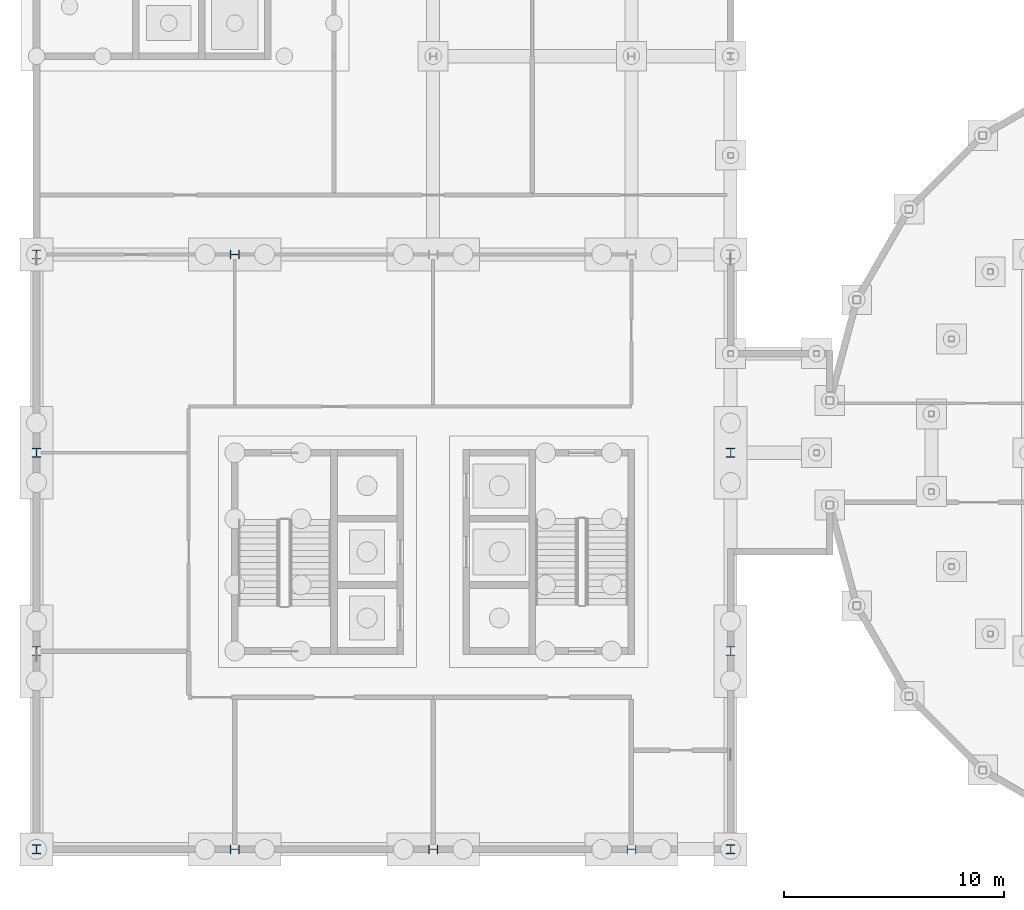
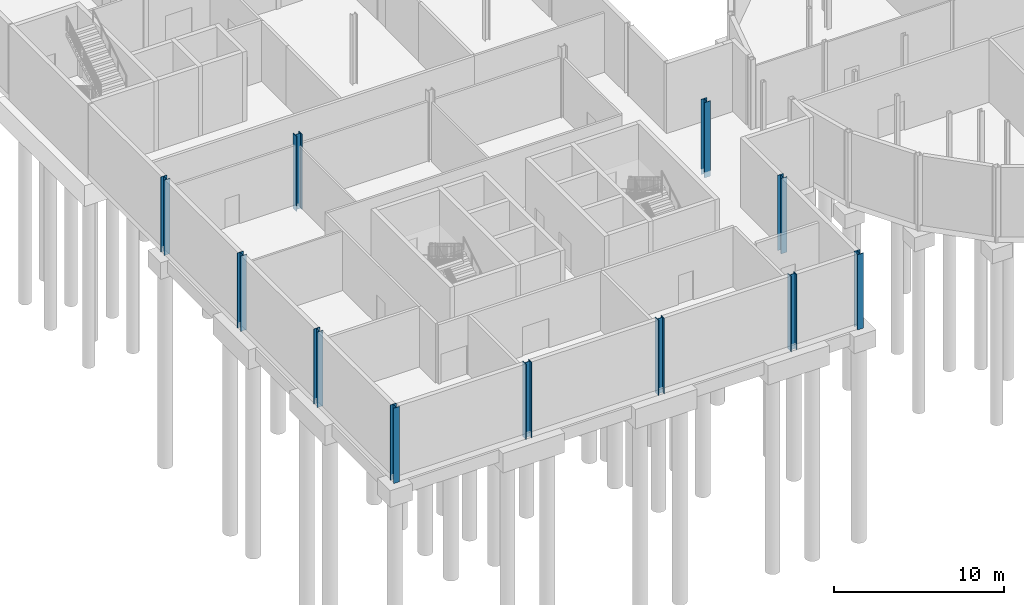
# One storey, part 5 of 25: 11 columns.
"""IFC4 building model written with IfcOpenShell, lengths in metres."""

import ifcopenshell
import ifcopenshell.guid

model = None  # the IFC model being written
_history = None  # IfcOwnerHistory: only IFC2X3 demands one
_inside = {}  # id of a spatial element -> (the spatial element, [elements in it])
_under = {}  # id of a project, library or spatial element -> (it, [spatial elements below it])
_declared = {}  # id of a project -> (the project, [libraries it declares])
_typed = {}  # id of a type object -> (the type object, [elements of that type])
_made_of = {}  # id of a material, layer set ... -> (it, [elements and type objects made of it])


def new_model(schema):
    """Start an empty IFC model of exactly this schema.

    Asked for "IFC4X3", IfcOpenShell would pick the latest addendum, in which some entities
    have other attributes; the version numbers below select the first issue.
    IFC2X3 requires an IfcOwnerHistory on every rooted entity: one is made here for all.
    """
    global model, _history
    if schema == "IFC4X3":
        model = ifcopenshell.file(schema_version=(4, 3, 0, 0))
    else:
        model = ifcopenshell.file(schema=schema)
    _inside.clear()
    _under.clear()
    _declared.clear()
    _typed.clear()
    _made_of.clear()
    _history = None
    if model.schema == "IFC2X3":
        org = make("IfcOrganization", Name="unknown")
        user = make(
            "IfcPersonAndOrganization",
            ThePerson=make("IfcPerson", FamilyName="unknown"),
            TheOrganization=org,
        )
        app = make(
            "IfcApplication",
            ApplicationDeveloper=org,
            Version="unknown",
            ApplicationFullName="unknown",
            ApplicationIdentifier="unknown",
        )
        _history = make(
            "IfcOwnerHistory",
            OwningUser=user,
            OwningApplication=app,
            ChangeAction="ADDED",
            CreationDate=0,
        )
    return model


def make(cls, **values):
    """One entity of the class cls with the attributes given. An attribute that is None is left unset."""
    return model.create_entity(
        cls, **{name: value for name, value in values.items() if value is not None}
    )


def rooted(cls, **values):
    """An entity with a GlobalId (a new one), such as an element, a storey or a relation."""
    return make(cls, GlobalId=ifcopenshell.guid.new(), OwnerHistory=_history, **values)


def si_unit(unit_type, name, prefix=None):
    """IfcSIUnit, for example si_unit("LENGTHUNIT", "METRE", prefix="MILLI")."""
    return make("IfcSIUnit", UnitType=unit_type, Prefix=prefix, Name=name)


def assignment(units):
    """IfcUnitAssignment: the units of a project."""
    return None if units is None else make("IfcUnitAssignment", Units=units)


def point(xyz):
    """IfcCartesianPoint."""
    return None if xyz is None else make("IfcCartesianPoint", Coordinates=xyz)


def direction(xyz):
    """IfcDirection."""
    return None if xyz is None else make("IfcDirection", DirectionRatios=xyz)


def frame(location, z_axis=None, x_axis=None):
    """IfcAxis2Placement3D, a coordinate frame: its origin and axes. An axis left out is left unset."""
    return make(
        "IfcAxis2Placement3D",
        Location=point(location),
        Axis=direction(z_axis),
        RefDirection=direction(x_axis),
    )


def frame_2d(location, x_axis=None):
    """IfcAxis2Placement2D, a coordinate frame in the plane: its origin and x axis."""
    return make(
        "IfcAxis2Placement2D", Location=point(location), RefDirection=direction(x_axis)
    )


def origin():
    """The frame at (0, 0, 0) with its axes left unset."""
    return frame((0.0, 0.0, 0.0))


def origin_2d():
    """The frame at (0, 0) in the plane with its x axis left unset."""
    return frame_2d((0.0, 0.0))


def place(relative_to, where):
    """IfcLocalPlacement: puts the frame where relative to a parent placement (None: the world)."""
    return make(
        "IfcLocalPlacement", PlacementRelTo=relative_to, RelativePlacement=where
    )


def context(
    kind, dimensions, precision=None, world=None, true_north=None, identifier=None
):
    """IfcGeometricRepresentationContext, for example the 3D "Model" context."""
    return make(
        "IfcGeometricRepresentationContext",
        ContextIdentifier=identifier,
        ContextType=kind,
        CoordinateSpaceDimension=dimensions,
        Precision=precision,
        WorldCoordinateSystem=world,
        TrueNorth=true_north,
    )


def subcontext(parent, identifier, kind, view, scale=None):
    """IfcGeometricRepresentationSubContext, for example "Body" below "Model"."""
    return make(
        "IfcGeometricRepresentationSubContext",
        ContextIdentifier=identifier,
        ContextType=kind,
        ParentContext=parent,
        TargetScale=scale,
        TargetView=view,
    )


def project(units=None, contexts=None):
    """IfcProject with its units and contexts."""
    return rooted(
        "IfcProject",
        Name="project",
        RepresentationContexts=contexts,
        UnitsInContext=assignment(units),
    )


def spatial(cls, under=None, at=None, **own):
    """A site, building, storey or space (cls), placed at a placement, below another one or the project."""
    s = rooted(cls, ObjectPlacement=at, **own)
    if under is not None:
        _under.setdefault(under.id(), (under, []))[1].append(s)
    return s


def profile(cls, at=None, kind="AREA", **sizes):
    """A parametric profile (cls). Its sizes go by their IFC names, for example OverallWidth=200.0."""
    return make(cls, ProfileType=kind, Position=at, **sizes)


def i_section(**sizes):
    """IfcIShapeProfileDef."""
    return profile("IfcIShapeProfileDef", **sizes)


def extrude(swept, where, along, depth):
    """IfcExtrudedAreaSolid: the profile swept, set in the frame where, extruded along a direction by depth."""
    return make(
        "IfcExtrudedAreaSolid",
        SweptArea=swept,
        Position=where,
        ExtrudedDirection=direction(along),
        Depth=depth,
    )


def shape(context_of_items, identifier, shape_type, items):
    """IfcShapeRepresentation: the items that make up one representation, for example the "Body"."""
    return make(
        "IfcShapeRepresentation",
        ContextOfItems=context_of_items,
        RepresentationIdentifier=identifier,
        RepresentationType=shape_type,
        Items=items,
    )


def material(Name=None, Category=None):
    """IfcMaterial."""
    return make("IfcMaterial", Name=Name, Category=Category)


def material_profile(
    of_material, cross_section, Name=None, Category=None, Priority=None
):
    """IfcMaterialProfile: a cross section and its material."""
    return make(
        "IfcMaterialProfile",
        Name=Name,
        Material=of_material,
        Profile=cross_section,
        Priority=Priority,
        Category=Category,
    )


def profile_set(profiles, Name=None, composite=None):
    """IfcMaterialProfileSet."""
    return make(
        "IfcMaterialProfileSet",
        Name=Name,
        MaterialProfiles=profiles,
        CompositeProfile=composite,
    )


def made_of(thing, what):
    """Note that an element or type object is made of a material, layer set ...; save() writes the relation."""
    if what is not None:
        _made_of.setdefault(what.id(), (what, []))[1].append(thing)
    return thing


def type_object(cls, material=None, **own):
    """A type object (cls), such as IfcWallType, which elements share."""
    return made_of(rooted(cls, **own), material)


def element(
    cls,
    number,
    at=None,
    inside=None,
    cuts=None,
    type_object=None,
    material=None,
    context=None,
    identifier="Body",
    shape_type=None,
    held_by="IfcProductDefinitionShape",
    body=None,
    shapes=None,
    **own,
):
    """One element of the class cls, such as IfcWall. Its Tag is "e" and its number.

    at: its placement. inside: the storey or other place that contains it. cuts: it is an
    opening in that element (IfcRelVoidsElement). A single representation is given by context,
    identifier, shape_type and body (its items); several are given by shapes. held_by: the class
    of the entity that holds the representations. save() writes the other relations.
    """
    e = rooted(cls, Tag="e%d" % number, ObjectPlacement=at, **own)
    if body is not None:
        shapes = [shape(context, identifier, shape_type, body)]
    if shapes is not None:
        e.Representation = make(held_by, Representations=shapes)
    if inside is not None:
        _inside.setdefault(inside.id(), (inside, []))[1].append(e)
    if cuts is not None:
        rooted(
            "IfcRelVoidsElement", RelatingBuildingElement=cuts, RelatedOpeningElement=e
        )
    if type_object is not None:
        _typed.setdefault(type_object.id(), (type_object, []))[1].append(e)
    return made_of(e, material)


def aggregate(whole, parts):
    """IfcRelAggregates: a whole, such as a stair, and the parts it consists of."""
    return rooted("IfcRelAggregates", RelatingObject=whole, RelatedObjects=parts)


def save(model, path):
    """Write the relations noted so far, then the file.

    IfcRelAggregates (storeys below a building ...), IfcRelContainedInSpatialStructure (elements
    in a storey), IfcRelDefinesByType, IfcRelAssociatesMaterial and IfcRelDeclares: one each for
    every whole, place, type object, material and project.
    """
    for whole, parts in _under.values():
        aggregate(whole, parts)
    for where, things in _inside.values():
        rooted(
            "IfcRelContainedInSpatialStructure",
            RelatedElements=things,
            RelatingStructure=where,
        )
    for kind, things in _typed.values():
        rooted("IfcRelDefinesByType", RelatedObjects=things, RelatingType=kind)
    for what, things in _made_of.values():
        rooted("IfcRelAssociatesMaterial", RelatedObjects=things, RelatingMaterial=what)
    for by, libraries in _declared.values():
        rooted("IfcRelDeclares", RelatingContext=by, RelatedDefinitions=libraries)
    model.write(path)


model = new_model("IFC4")

# Units and contexts
model_context = context("Model", 3, precision=1e-05, world=origin(), true_north=direction((0.0, 1.0)))
body_context = subcontext(model_context, "Body", "Model", "MODEL_VIEW")
ifc_project = project(units=[si_unit("LENGTHUNIT", "METRE"), si_unit("AREAUNIT", "SQUARE_METRE"), si_unit("VOLUMEUNIT", "CUBIC_METRE"), si_unit("PLANEANGLEUNIT", "RADIAN"), si_unit("MASSUNIT", "GRAM", prefix="KILO")], contexts=[model_context])

# Site, building, storey
site_placement = place(None, origin())
site = spatial("IfcSite", under=ifc_project, at=site_placement, CompositionType="ELEMENT")
building_placement = place(site_placement, origin())
building = spatial("IfcBuilding", under=site, at=building_placement, Name="Hortulan Conservatory and Botanical Research Centre", CompositionType="ELEMENT")
storey_placement = place(building_placement, frame((0.0, 0.0, -5.0)))
storey = spatial("IfcBuildingStorey", under=building, at=storey_placement, Name="B1", CompositionType="ELEMENT", Elevation=-5.0)

# Columns
ifc_material = material(Name="Steel Grade 300 (AS/NZS 3679.2, plate AS/NZS 3678, 280 MPa minimum yield)", Category="steel")
ifc_material_profile = material_profile(ifc_material, i_section(OverallWidth=0.39990234375, OverallDepth=0.422119140625, WebThickness=0.028076171875, FlangeThickness=0.035888671875, at=origin_2d()), Name="400WC303")
ifc_profile_set = profile_set([ifc_material_profile], Name="Steel Grade 300 (AS/NZS 3679.2, plate AS/NZS 3678, 280 MPa minimum yield)")
column_type = type_object("IfcColumnType", Name="Tower Column 400WC303", PredefinedType="COLUMN", material=ifc_profile_set)
for number, where, z_axis, x_axis, name in (
    (1, (0.0, 0.0, -0.39990234375), (0.0, 0.0, 1.0), (1.0, 0.0, 0.0), "400WC303 column"),
    (2, (0.0, 9.0, -0.39990234375), (0.0, 0.0, 1.0), (1.0, 0.0, 0.0), "400WC303 column"),
    (3, (0.0, 18.0, -0.39990234375), (0.0, 0.0, 1.0), (1.0, 0.0, 0.0), "400WC303 column"),
    (4, (0.0, 27.0, -0.39990234375), (0.0, 0.0, 1.0), (1.0, 0.0, 0.0), "400WC303 column"),
    (5, (9.0, 0.0, -0.39990234375), (0.0, 0.0, 1.0), (0.0, 1.0, 0.0), "400WC303 column"),
    (6, (9.0, 27.0, -0.39990234375), (0.0, 0.0, 1.0), (0.0, 1.0, 0.0), "400WC303 column"),
    (7, (18.0, 0.0, -0.39990234375), (0.0, 0.0, 1.0), (0.0, 1.0, 0.0), "400WC303 column"),
    (8, (27.0, 0.0, -0.39990234375), (0.0, 0.0, 1.0), (0.0, 1.0, 0.0), "400WC303 column"),
    (9, (31.5, 0.0, -0.39990234375), (0.0, 0.0, 1.0), (1.0, 0.0, 0.0), "400WC303 column"),
    (10, (31.5, 9.0, -0.39990234375), (0.0, 0.0, 1.0), (1.0, 0.0, 0.0), "400WC303 column"),
    (11, (31.5, 18.0, -0.39990234375), (0.0, 0.0, 1.0), (1.0, 0.0, 0.0), "400WC303 column"),
):
    element("IfcColumn", number, at=place(storey_placement, frame(where, z_axis=z_axis, x_axis=x_axis)), inside=storey, type_object=column_type, Name=name, PredefinedType="COLUMN", context=body_context, shape_type="SweptSolid", body=[
        extrude(i_section(OverallWidth=0.39990234375, OverallDepth=0.422119140625, WebThickness=0.028076171875, FlangeThickness=0.035888671875, at=origin_2d()), origin(), (0.0, 0.0, 1.0), 5.39990234375),
    ])

save(model, "model.ifc")
